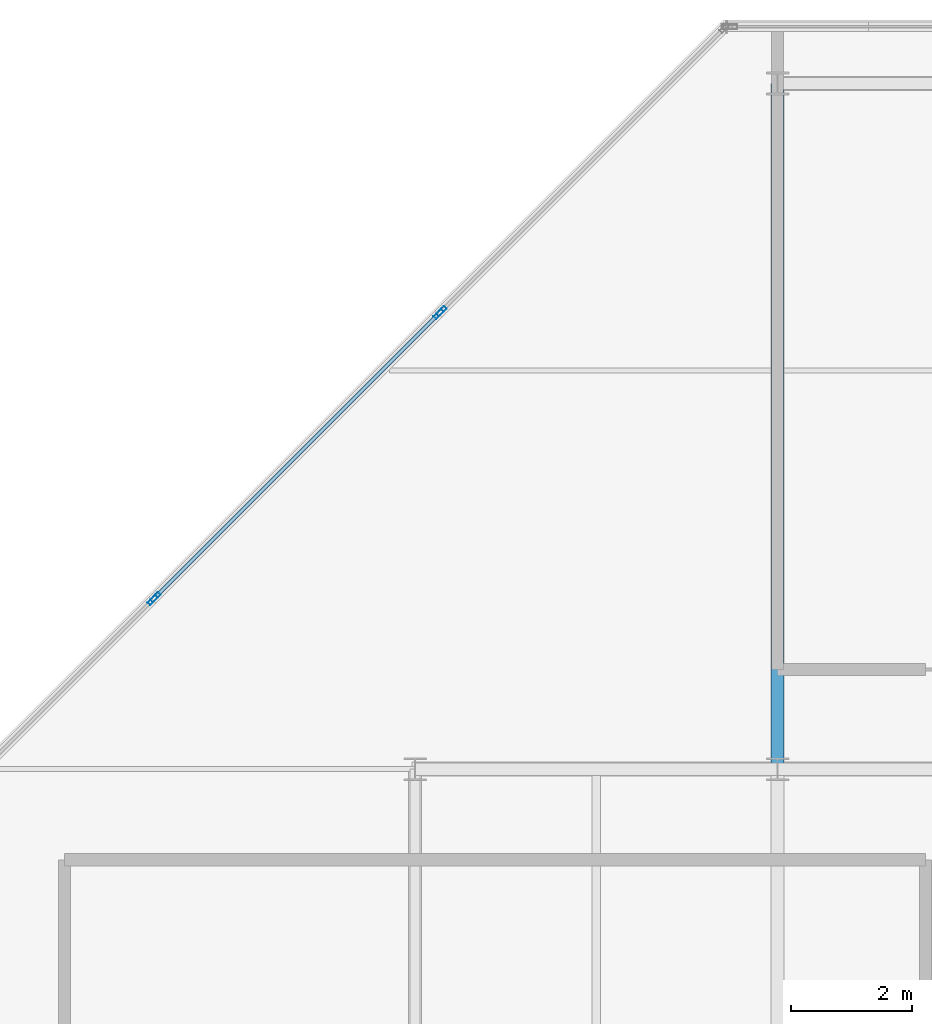
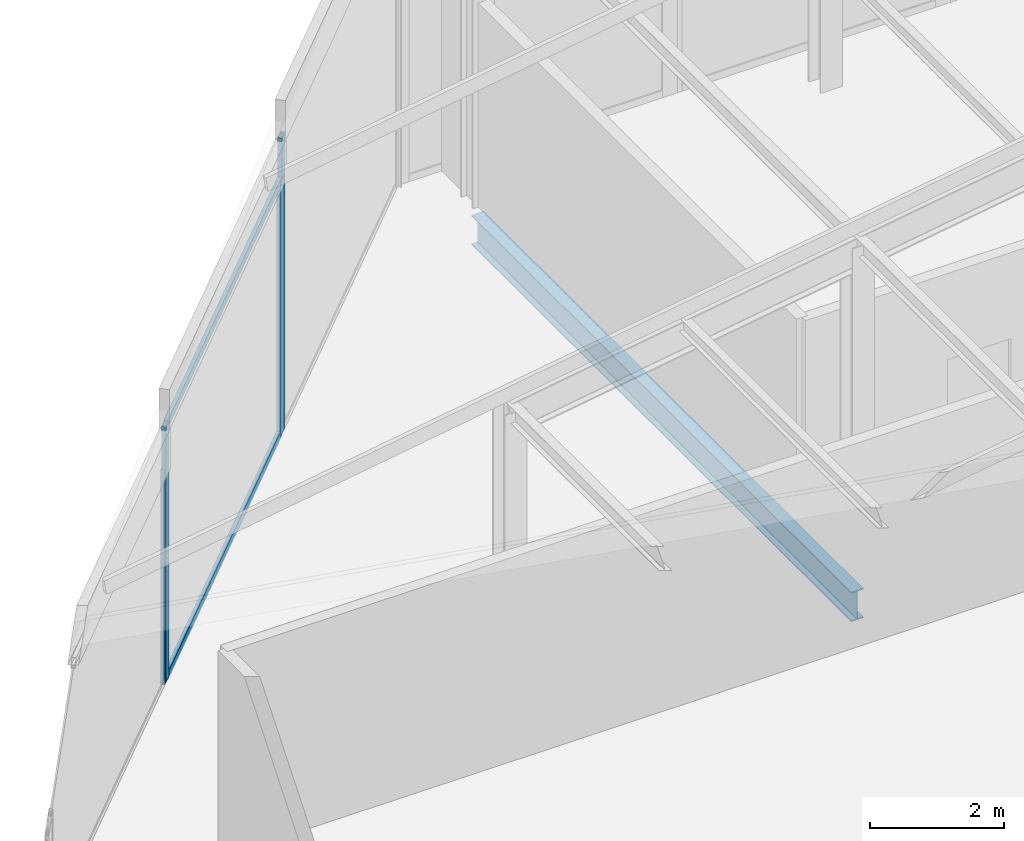
# One storey, part 15 of 30: 6 members, 1 beam, 3 elements without a shape of their own.
"""IFC4 building model written with IfcOpenShell, lengths in metres."""

from ifc_helpers import new_model, si_unit, direction, frame, origin, origin_2d, place, context, subcontext, project, spatial, hollow_rectangle, i_section, extrude, material, layer, layer_set, material_profile, profile_set, type_object, element, aggregate, save


model = new_model("IFC4")

# Units and contexts
model_context = context("Model", 3, precision=1e-05, world=origin(), true_north=direction((0.0, 1.0)))
body_context = subcontext(model_context, "Body", "Model", "MODEL_VIEW")
ifc_project = project(units=[si_unit("LENGTHUNIT", "METRE"), si_unit("AREAUNIT", "SQUARE_METRE"), si_unit("VOLUMEUNIT", "CUBIC_METRE"), si_unit("PLANEANGLEUNIT", "RADIAN"), si_unit("MASSUNIT", "GRAM", prefix="KILO")], contexts=[model_context])

# Site, building, storey
site_placement = place(None, origin())
site = spatial("IfcSite", under=ifc_project, at=site_placement, CompositionType="ELEMENT")
building_placement = place(site_placement, origin())
building = spatial("IfcBuilding", under=site, at=building_placement, Name="Tanjung Sevakor Pilgrim Tower", CompositionType="ELEMENT")
storey_placement = place(building_placement, frame((0.0, 0.0, 287.760009765625)))
storey = spatial("IfcBuildingStorey", under=building, at=storey_placement, Name="L80", CompositionType="ELEMENT", Elevation=287.760009765625)

# Beam
ifc_material_1 = material(Name="Steel S355J2", Category="steel")
ifc_material_profile_1 = material_profile(ifc_material_1, i_section(OverallWidth=0.210693359375, OverallDepth=0.53955078125, WebThickness=0.01171875, FlangeThickness=0.018798828125, FilletRadius=0.0126953125, at=origin_2d()))
ifc_profile_set_1 = profile_set([ifc_material_profile_1], Name="Steel S355J2")
beam_type = type_object("IfcBeamType", Name="BM-B-G6-UB_533x210x109", PredefinedType="BEAM", material=ifc_profile_set_1)
beam_placement = place(storey_placement, frame((72.0, 42.60009765625, -0.52978515625), z_axis=(0.0, 1.0, 0.0), x_axis=(-1.0, 0.0, 0.0)))
element("IfcBeam", 1, at=beam_placement, inside=storey, type_object=beam_type, Name="L80 EAST Girder 004", PredefinedType="BEAM", context=body_context, shape_type="SweptSolid", body=[
    extrude(i_section(OverallWidth=0.210693359375, OverallDepth=0.53955078125, WebThickness=0.01171875, FlangeThickness=0.018798828125, FilletRadius=0.0126953125, at=origin_2d()), origin(), (0.0, 0.0, 1.0), 11.349853515625),
])

# Curtain wall, member
ifc_material_2 = material(Name="Aluminium 6063-T6 and Low-E Glass", Category="aluminium")
ifc_layer = layer(ifc_material_2, 0.179931640625)
ifc_layer_set = layer_set([ifc_layer], Name="CW-SYS-CHAM")
curtain_wall_type = type_object("IfcCurtainWallType", Name="CW-SYS-CHAM", PredefinedType="NOTDEFINED", material=ifc_layer_set)
curtain_wall_1_placement = place(storey_placement, origin())
curtain_wall_1 = element("IfcCurtainWall", 2, at=curtain_wall_1_placement, inside=storey, type_object=curtain_wall_type, Name="L80 Curtain Wall CW-CHM-L80-EAST-5B1", PredefinedType="NOTDEFINED")
ifc_material_3 = material(Name="Aluminium 6063-T6", Category="aluminium")
ifc_material_profile_2 = material_profile(ifc_material_3, hollow_rectangle(XDim=0.06494140625, YDim=0.179931640625, WallThickness=0.00390625, at=origin_2d()))
ifc_profile_set_2 = profile_set([ifc_material_profile_2], Name="Aluminium 6063-T6")
member_type_1 = type_object("IfcMemberType", Name="TYPE-CWM-1", PredefinedType="MULLION", material=ifc_profile_set_2)
member_1_placement = place(storey_placement, frame((66.4345703125, 50.17919921875, 0.0), z_axis=(0.0, 0.0, 1.0), x_axis=(0.707106781187, -0.707106781187, 0.0)))
member_1 = element("IfcMember", 3, at=member_1_placement, type_object=member_type_1, Name="CW-CHM mullion 2", PredefinedType="MULLION", context=body_context, shape_type="SweptSolid", body=[
    extrude(hollow_rectangle(XDim=0.06494140625, YDim=0.179931640625, WallThickness=0.00390625, at=origin_2d()), origin(), (0.0, 0.0, 1.0), 5.408447265625),
])
aggregate(curtain_wall_1, [member_1])

# Curtain wall, members
curtain_wall_2_placement = place(storey_placement, origin())
curtain_wall_2 = element("IfcCurtainWall", 4, at=curtain_wall_2_placement, inside=storey, type_object=curtain_wall_type, Name="L80 Curtain Wall CW-CHM-L80-EAST-5B2", PredefinedType="NOTDEFINED")
member_2_placement = place(storey_placement, frame((66.388671875, 50.133056640625, 0.0), z_axis=(0.0, 0.0, 1.0), x_axis=(0.707106781187, -0.707106781187, 0.0)))
member_2 = element("IfcMember", 5, at=member_2_placement, type_object=member_type_1, Name="CW-CHM mullion 1", PredefinedType="MULLION", context=body_context, shape_type="SweptSolid", body=[
    extrude(hollow_rectangle(XDim=0.06494140625, YDim=0.179931640625, WallThickness=0.00390625, at=origin_2d()), origin(), (0.0, 0.0, 1.0), 4.664794921875),
])
member_3_placement = place(storey_placement, frame((61.70068359375, 45.445068359375, 0.0), z_axis=(0.0, 0.0, 1.0), x_axis=(0.707106781187, -0.707106781187, 0.0)))
member_3 = element("IfcMember", 6, at=member_3_placement, type_object=member_type_1, Name="CW-CHM mullion 2", PredefinedType="MULLION", context=body_context, shape_type="SweptSolid", body=[
    extrude(hollow_rectangle(XDim=0.06494140625, YDim=0.179931640625, WallThickness=0.00390625, at=origin_2d()), origin(), (0.0, 0.0, 1.0), 4.664794921875),
])

# Curtain wall, member
curtain_wall_3_placement = place(storey_placement, origin())
curtain_wall_3 = element("IfcCurtainWall", 7, at=curtain_wall_3_placement, inside=storey, type_object=curtain_wall_type, Name="L80 Curtain Wall CW-CHM-L80-EAST-5B3", PredefinedType="NOTDEFINED")
member_4_placement = place(storey_placement, frame((61.65478515625, 45.399169921875, 0.0), z_axis=(0.0, 0.0, 1.0), x_axis=(0.707106781187, -0.707106781187, 0.0)))
member_4 = element("IfcMember", 8, at=member_4_placement, type_object=member_type_1, Name="CW-CHM mullion 1", PredefinedType="MULLION", context=body_context, shape_type="SweptSolid", body=[
    extrude(hollow_rectangle(XDim=0.06494140625, YDim=0.179931640625, WallThickness=0.00390625, at=origin_2d()), origin(), (0.0, 0.0, 1.0), 3.9208984375),
])
aggregate(curtain_wall_3, [member_4])

# Member
ifc_material_4 = material(Name="Aluminium 6063-T6", Category="aluminium")
ifc_material_profile_3 = material_profile(ifc_material_4, hollow_rectangle(XDim=0.06494140625, YDim=0.139892578125, WallThickness=0.00390625, at=origin_2d()))
ifc_profile_set_3 = profile_set([ifc_material_profile_3], Name="Aluminium 6063-T6")
member_type_2 = type_object("IfcMemberType", Name="TYPE-CWT-1", PredefinedType="USERDEFINED", material=ifc_profile_set_3)
member_5_placement = place(storey_placement, frame((66.36572265625, 50.110107421875, 0.032470703125), z_axis=(-0.707106781187, -0.707106781187, 0.0), x_axis=(0.707106781187, -0.707106781187, 0.0)))
member_5 = element("IfcMember", 9, at=member_5_placement, type_object=member_type_2, Name="CW-CHM transom 1.1", ObjectType="TRANSOM", PredefinedType="USERDEFINED", context=body_context, shape_type="SweptSolid", body=[
    extrude(hollow_rectangle(XDim=0.06494140625, YDim=0.139892578125, WallThickness=0.00390625, at=origin_2d()), origin(), (0.0, 0.0, 1.0), 6.564453125),
])

member_6_placement = place(storey_placement, frame((66.36572265625, 50.110107421875, 4.63232421875), z_axis=(-0.707106781187, -0.707106781187, 0.0), x_axis=(0.707106781187, -0.707106781187, 0.0)))
member_6 = element("IfcMember", 10, at=member_6_placement, type_object=member_type_2, Name="CW-CHM transom 1.2", ObjectType="TRANSOM", PredefinedType="USERDEFINED", context=body_context, shape_type="SweptSolid", body=[
    extrude(hollow_rectangle(XDim=0.06494140625, YDim=0.139892578125, WallThickness=0.00390625, at=origin_2d()), origin(), (0.0, 0.0, 1.0), 6.564453125),
])

aggregate(curtain_wall_2, [member_2, member_3, member_5, member_6])

save(model, "model.ifc")
